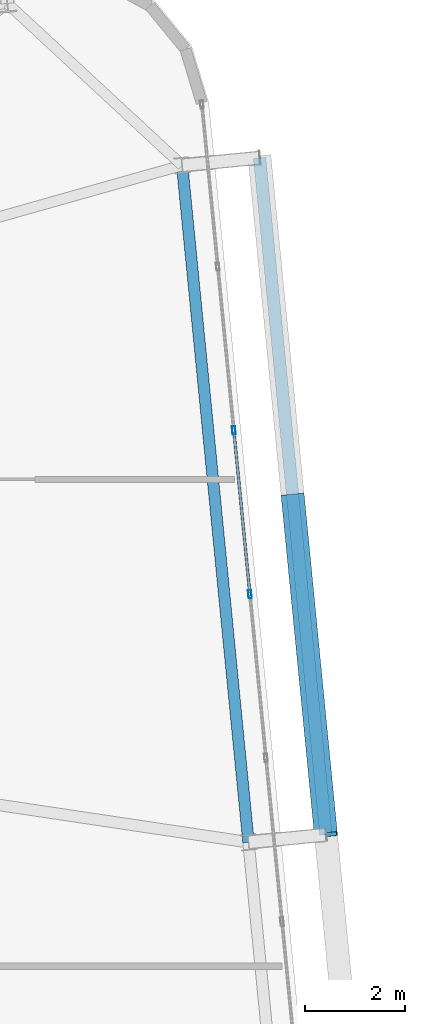
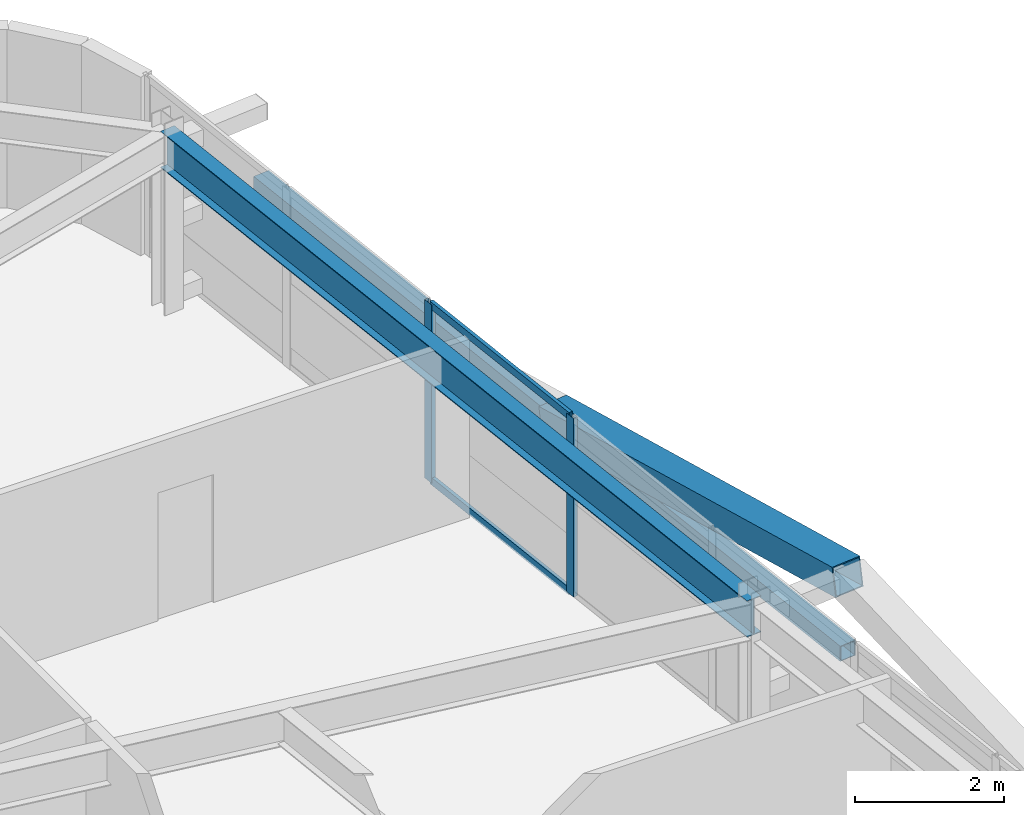
# One storey, part 26 of 54: 6 members, 1 beam, 1 element without a shape of its own.
"""IFC4 building model written with IfcOpenShell, lengths in metres."""

from ifc_helpers import new_model, si_unit, direction, frame, origin, origin_2d, place, context, subcontext, project, spatial, hollow_rectangle, i_section, extrude, source, transform, mapped, material, layer, layer_set, material_profile, profile_set, type_object, element, aggregate, save


model = new_model("IFC4")

# Units and contexts
model_context = context("Model", 3, precision=1e-05, world=origin(), true_north=direction((0.0, 1.0)))
body_context = subcontext(model_context, "Body", "Model", "MODEL_VIEW")
ifc_project = project(units=[si_unit("LENGTHUNIT", "METRE"), si_unit("AREAUNIT", "SQUARE_METRE"), si_unit("VOLUMEUNIT", "CUBIC_METRE"), si_unit("PLANEANGLEUNIT", "RADIAN"), si_unit("MASSUNIT", "GRAM", prefix="KILO")], contexts=[model_context])

# Site, building, storey
site_placement = place(None, origin())
site = spatial("IfcSite", under=ifc_project, at=site_placement, CompositionType="ELEMENT")
building_placement = place(site_placement, origin())
building = spatial("IfcBuilding", under=site, at=building_placement, Name="Taldren Reach Tower", CompositionType="ELEMENT")
storey_placement = place(building_placement, frame((0.0, 0.0, 99.75)))
storey = spatial("IfcBuildingStorey", under=building, at=storey_placement, Name="L30", CompositionType="ELEMENT", Elevation=99.75)

# Beam
ifc_material_1 = material(Name="Steel Gr 350 (350PLUS)", Category="steel")
ifc_material_profile_1 = material_profile(ifc_material_1, i_section(OverallWidth=0.22802734375, OverallDepth=0.60205078125, WebThickness=0.010498046875, FlangeThickness=0.014892578125, at=origin_2d()), Name="610UB101")
ifc_profile_set_1 = profile_set([ifc_material_profile_1], Name="Steel Gr 350 (350PLUS)")
beam_type = type_object("IfcBeamType", Name="BM-UB610B", PredefinedType="BEAM", material=ifc_profile_set_1)
shared_shape_1 = source(origin(), body_context, "Body", "SweptSolid", [
    extrude(i_section(OverallWidth=0.22802734375, OverallDepth=0.60205078125, WebThickness=0.010498046875, FlangeThickness=0.014892578125, at=origin_2d()), origin(), (0.0, 0.0, 1.0), 13.550048828125),
])
beam_placement = place(storey_placement, frame((64.569580078125, 21.968994140625, 2.62890625), z_axis=(-0.097584021339, 0.995227290009, 0.0), x_axis=(-0.995227290009, -0.097584021339, 0.0)))
element("IfcBeam", 1, at=beam_placement, inside=storey, type_object=beam_type, Name="Perimeter gable girder B2 E2-E3 L30", PredefinedType="BEAM", context=body_context, shape_type="MappedRepresentation", body=[
    mapped(shared_shape_1, transform((0.0, 0.0, 0.0), scale=1.0)),
])

# Members
ifc_material_2 = material(Name="Steel Gr 450 (C450L0)", Category="steel")
ifc_material_profile_2 = material_profile(ifc_material_2, hollow_rectangle(XDim=0.4599609375, YDim=0.4599609375, WallThickness=0.01611328125, at=origin_2d()), Name="460x460x16.0SHS")
ifc_profile_set_2 = profile_set([ifc_material_profile_2], Name="Steel Gr 450 (C450L0)")
member_type_1 = type_object("IfcMemberType", Name="MB-EXO457", PredefinedType="BRACE", material=ifc_profile_set_2)
shared_shape_2 = source(origin(), body_context, "Body", "SweptSolid", [
    extrude(hollow_rectangle(XDim=0.4599609375, YDim=0.4599609375, WallThickness=0.01611328125, at=origin_2d()), origin(), (0.0, 0.0, 1.0), 6.883056640625),
])
member_1_placement = place(storey_placement, frame((65.450927734375, 28.86279296875, 1.43505859375), z_axis=(0.096052059581, -0.979603316657, 0.176497432967), x_axis=(0.995227290009, 0.097584021339, 0.0)))
element("IfcMember", 2, at=member_1_placement, inside=storey, type_object=member_type_1, Name="Exoskeleton Diagrid Brace B2-E2 L30", PredefinedType="BRACE", context=body_context, shape_type="MappedRepresentation", body=[
    mapped(shared_shape_2, transform((0.0, 0.0, 0.0), scale=1.0)),
])
ifc_material_3 = material(Name="Steel Gr 350 (C350L0)", Category="steel")
ifc_material_profile_3 = material_profile(ifc_material_3, hollow_rectangle(XDim=0.25, YDim=0.25, WallThickness=0.010009765625, at=origin_2d()), Name="250x250x10.0SHS")
ifc_profile_set_3 = profile_set([ifc_material_profile_3], Name="Steel Gr 350 (C350L0)")
member_type_2 = type_object("IfcMemberType", Name="MB-POST250", PredefinedType="POST", material=ifc_profile_set_3)
shared_shape_3 = source(origin(), body_context, "Body", "SweptSolid", [
    extrude(hollow_rectangle(XDim=0.25, YDim=0.25, WallThickness=0.010009765625, at=origin_2d()), origin(), (0.0, 0.0, 1.0), 13.550048828125),
])
member_2_placement = place(storey_placement, frame((66.112060546875, 22.1201171875, 1.43505859375), z_axis=(-0.097584021339, 0.995227290009, 0.0), x_axis=(-0.995227290009, -0.097584021339, 0.0)))
element("IfcMember", 3, at=member_2_placement, inside=storey, type_object=member_type_2, Name="Exoskeleton mid-height ring chord B2-E2 L30", PredefinedType="POST", context=body_context, shape_type="MappedRepresentation", body=[
    mapped(shared_shape_3, transform((0.0, 0.0, 0.0), scale=1.0)),
])

# Curtain wall, members
ifc_material_4 = material(Name="Aluminium and Low-E Glass Unitised System", Category="aluminium")
ifc_layer = layer(ifc_material_4, 0.159912109375)
ifc_layer_set = layer_set([ifc_layer], Name="Aluminium and Low-E Glass Unitised System")
curtain_wall_type = type_object("IfcCurtainWallType", Name="CW-SYS-3", PredefinedType="NOTDEFINED", material=ifc_layer_set)
curtain_wall_placement = place(storey_placement, origin())
curtain_wall = element("IfcCurtainWall", 4, at=curtain_wall_placement, inside=storey, type_object=curtain_wall_type, Name="Unitised curtain wall CW-L30-E", PredefinedType="NOTDEFINED")
ifc_material_5 = material(Name="Anodised Aluminium 6063-T6", Category="aluminium")
ifc_material_profile_4 = material_profile(ifc_material_5, hollow_rectangle(XDim=0.06494140625, YDim=0.1650390625, WallThickness=0.00390625, at=origin_2d()), Name="ALU-165x65x4RHS")
ifc_profile_set_4 = profile_set([ifc_material_profile_4], Name="Anodised Aluminium 6063-T6")
member_type_3 = type_object("IfcMemberType", Name="CW-MUL-165", PredefinedType="MULLION", material=ifc_profile_set_4)
shared_shape_4 = source(origin(), body_context, "Body", "SweptSolid", [
    extrude(hollow_rectangle(XDim=0.06494140625, YDim=0.1650390625, WallThickness=0.00390625, at=origin_2d()), origin(), (0.0, 0.0, 1.0), 2.929931640625),
])
member_3_placement = place(storey_placement, frame((64.59716796875, 26.911865234375, 0.0), z_axis=(0.0, 0.0, 1.0), x_axis=(-0.99522741555, -0.09758274098, 0.0)))
member_3 = element("IfcMember", 5, at=member_3_placement, type_object=member_type_3, Name="CW-3 mullion 7", PredefinedType="MULLION", context=body_context, shape_type="MappedRepresentation", body=[
    mapped(shared_shape_4, transform((0.0, 0.0, 0.0), scale=1.0)),
])
member_4_placement = place(storey_placement, frame((64.27734375, 30.174072265625, 0.0), z_axis=(0.0, 0.0, 1.0), x_axis=(-0.99522741555, -0.09758274098, 0.0)))
member_4 = element("IfcMember", 6, at=member_4_placement, type_object=member_type_3, Name="CW-3 mullion 8", PredefinedType="MULLION", context=body_context, shape_type="MappedRepresentation", body=[
    mapped(shared_shape_4, transform((0.0, 0.0, 0.0), scale=1.0)),
])
ifc_material_profile_5 = material_profile(ifc_material_5, hollow_rectangle(XDim=0.054931640625, YDim=0.1201171875, WallThickness=0.0029296875, at=origin_2d()), Name="ALU-120x55x3RHS")
ifc_profile_set_5 = profile_set([ifc_material_profile_5], Name="Anodised Aluminium 6063-T6")
member_type_4 = type_object("IfcMemberType", Name="CW-TRN-135", PredefinedType="USERDEFINED", material=ifc_profile_set_5)
shared_shape_5 = source(origin(), body_context, "Body", "SweptSolid", [
    extrude(hollow_rectangle(XDim=0.054931640625, YDim=0.1201171875, WallThickness=0.0029296875, at=origin_2d()), origin(), (0.0, 0.0, 1.0), 3.212890625),
])
member_5_placement = place(storey_placement, frame((64.593994140625, 26.944091796875, 0.027587890625), z_axis=(-0.097569948235, 0.995228669805, 0.0), x_axis=(-0.995228669805, -0.097569948235, 0.0)))
member_5 = element("IfcMember", 7, at=member_5_placement, type_object=member_type_4, Name="CW-3 transom 7.1", ObjectType="TRANSOM", PredefinedType="USERDEFINED", context=body_context, shape_type="MappedRepresentation", body=[
    mapped(shared_shape_5, transform((0.0, 0.0, 0.0), scale=1.0)),
])
member_6_placement = place(storey_placement, frame((64.593994140625, 26.944091796875, 2.902587890625), z_axis=(-0.097569948235, 0.995228669805, 0.0), x_axis=(-0.995228669805, -0.097569948235, 0.0)))
member_6 = element("IfcMember", 8, at=member_6_placement, type_object=member_type_4, Name="CW-3 transom 7.2", ObjectType="TRANSOM", PredefinedType="USERDEFINED", context=body_context, shape_type="MappedRepresentation", body=[
    mapped(shared_shape_5, transform((0.0, 0.0, 0.0), scale=1.0)),
])
aggregate(curtain_wall, [member_3, member_4, member_5, member_6])

save(model, "model.ifc")
